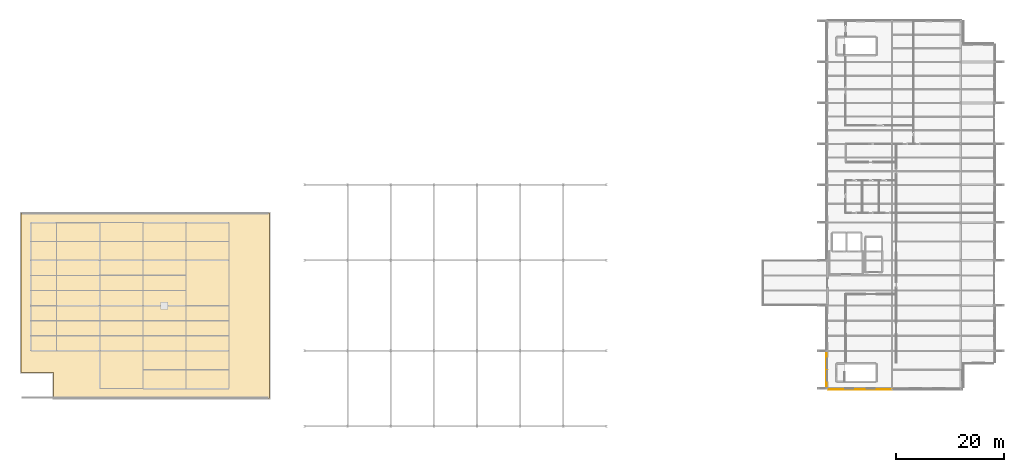
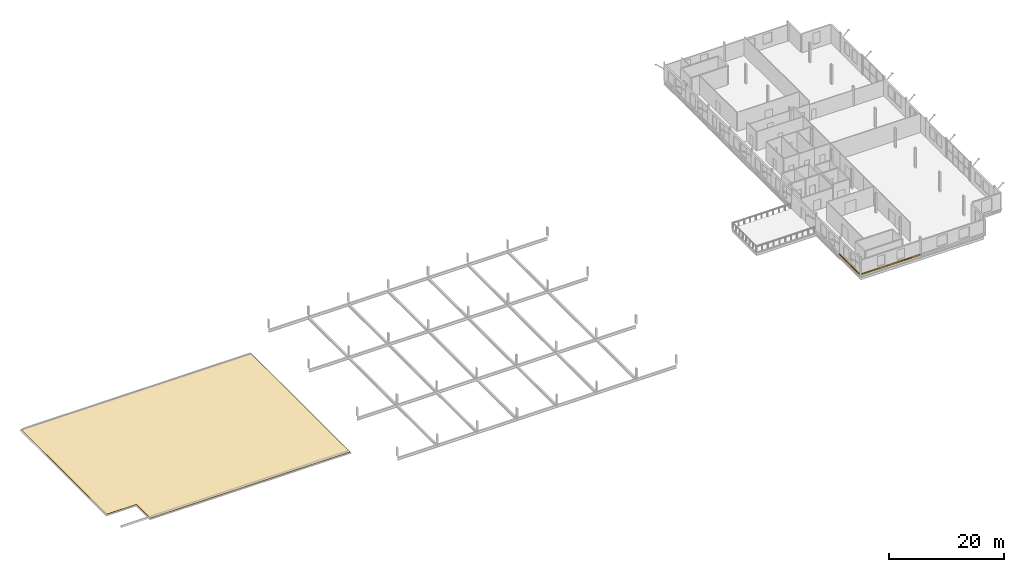
# One storey, part 24 of 25: 3 coverings.
"""IFC4 building model written with IfcOpenShell, lengths in metres."""

from ifc_helpers import new_model, si_unit, direction, frame, origin, origin_2d, place, context, subcontext, project, spatial, polyline, rectangle, outline, extrude, material, layer, layer_set, type_object, element, save


model = new_model("IFC4")

# Units and contexts
model_context = context("Model", 3, precision=1e-05, world=origin(), true_north=direction((0.0, 1.0)))
body_context = subcontext(model_context, "Body", "Model", "MODEL_VIEW")
ifc_project = project(units=[si_unit("LENGTHUNIT", "METRE"), si_unit("AREAUNIT", "SQUARE_METRE"), si_unit("VOLUMEUNIT", "CUBIC_METRE"), si_unit("PLANEANGLEUNIT", "RADIAN"), si_unit("MASSUNIT", "GRAM", prefix="KILO")], contexts=[model_context])

# Site, building, storey
site_placement = place(None, origin())
site = spatial("IfcSite", under=ifc_project, at=site_placement, CompositionType="ELEMENT")
building_placement = place(site_placement, origin())
building = spatial("IfcBuilding", under=site, at=building_placement, Name="Vekula Escarpment Museum", CompositionType="ELEMENT")
storey_placement = place(building_placement, frame((0.0, 0.0, 26.39990234375)))
storey = spatial("IfcBuildingStorey", under=building, at=storey_placement, Name="L06", CompositionType="ELEMENT", Elevation=26.39990234375)

# Coverings
ifc_material_1 = material(Name="Polychrome limestone almasik string-course band", Category="masonry")
ifc_layer_1 = layer(ifc_material_1, 0.06005859375)
ifc_layer_set_1 = layer_set([ifc_layer_1], Name="Polychrome limestone almasik string-course band")
covering_type_1 = type_object("IfcCoveringType", Name="COV-ALM-BAND", PredefinedType="CLADDING", material=ifc_layer_set_1)
covering_1_placement = place(storey_placement, frame((166.833984375, 56.10009765625, 0.41015625), z_axis=(0.0, 0.0, 1.0), x_axis=(0.0, 1.0, 0.0)))
element("IfcCovering", 1, at=covering_1_placement, inside=storey, type_object=covering_type_1, Name="Almasik Stone String Course L06-0689", PredefinedType="CLADDING", context=body_context, shape_type="SweptSolid", body=[
    extrude(rectangle(XDim=6.8798828125, YDim=0.06005859375, at=origin_2d()), origin(), (0.0, 0.0, 1.0), 0.219970703125),
])
covering_2_placement = place(storey_placement, frame((173.072021484375, 52.43408203125, 0.41015625), z_axis=(0.0, 0.0, 1.0), x_axis=(1.0, 0.0, 0.0)))
element("IfcCovering", 2, at=covering_2_placement, inside=storey, type_object=covering_type_1, Name="Almasik Stone String Course L06-0690", PredefinedType="CLADDING", context=body_context, shape_type="SweptSolid", body=[
    extrude(rectangle(XDim=11.736083984375, YDim=0.06005859375, at=origin_2d()), origin(), (0.0, 0.0, 1.0), 0.219970703125),
])
ifc_material_2 = material(Name="Standing-seam patinated copper roofing", Category="metal")
ifc_layer_2 = layer(ifc_material_2, 0.06005859375)
ifc_layer_set_2 = layer_set([ifc_layer_2], Name="Standing-seam patinated copper roofing")
covering_type_2 = type_object("IfcCoveringType", Name="COV-ROOF-COPPER", PredefinedType="ROOFING", material=ifc_layer_set_2)
covering_3_placement = place(storey_placement, origin())
element("IfcCovering", 3, at=covering_3_placement, inside=storey, type_object=covering_type_2, Name="Overhanging Eave Roof Covering R-L06-V2W", PredefinedType="ROOFING", context=body_context, shape_type="SweptSolid", body=[
    extrude(outline(polyline([(23.3798828125, 55.580078125), (17.3798828125, 55.580078125), (17.3798828125, 85.219970703125), (63.469970703125, 85.219970703125), (63.469970703125, 50.780029296875), (23.3798828125, 50.780029296875), (23.3798828125, 55.580078125)])), origin(), (0.0, 0.0, 1.0), 0.06005859375),
])

save(model, "model.ifc")
